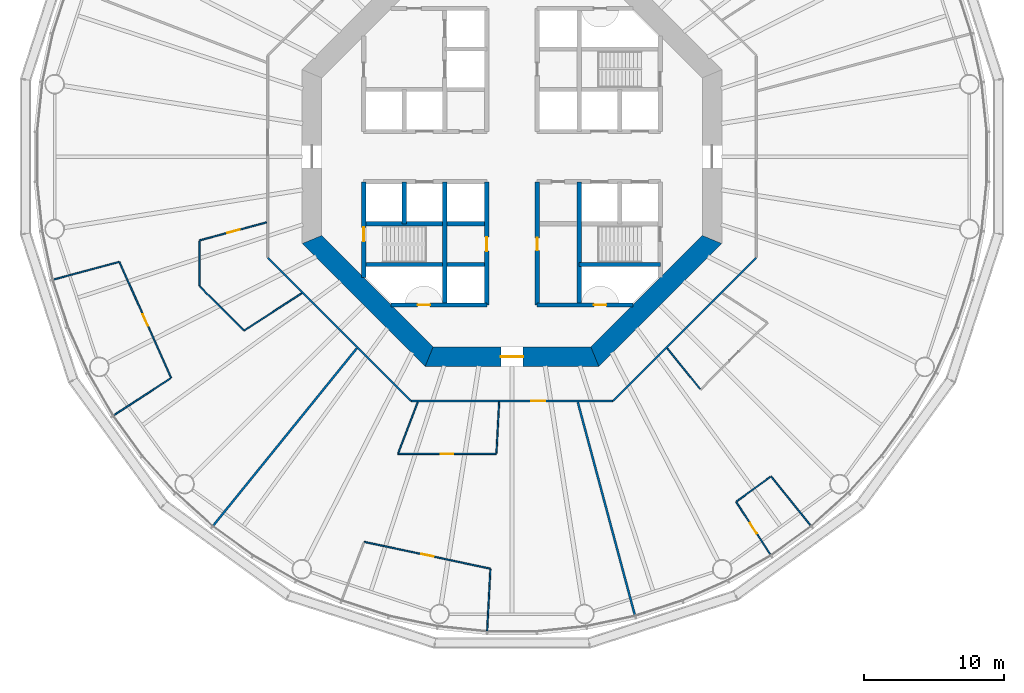
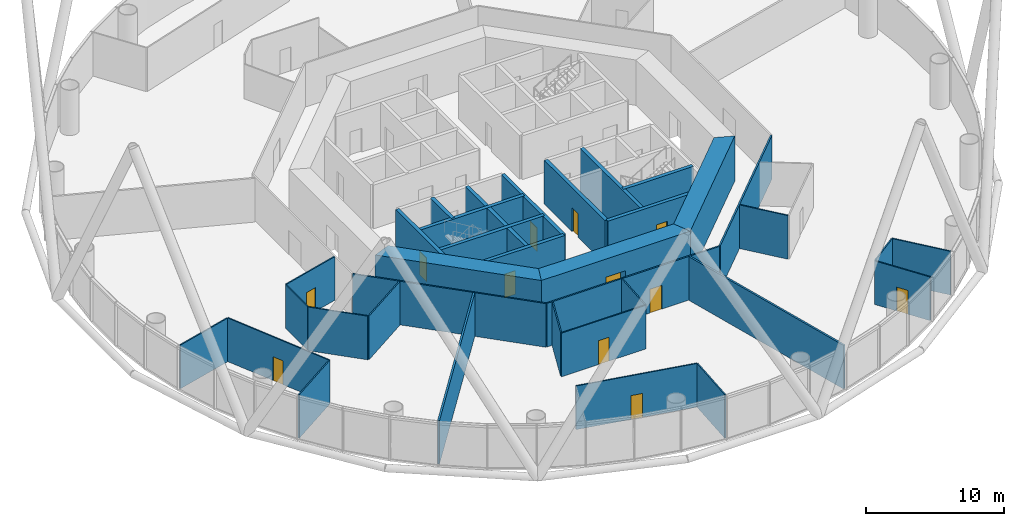
# One storey, part 3 of 13: 35 walls, 12 doors, 12 openings.
"""IFC4 building model written with IfcOpenShell, lengths in metres."""

import ifcopenshell
import ifcopenshell.guid

model = None  # the IFC model being written
_history = None  # IfcOwnerHistory: only IFC2X3 demands one
_inside = {}  # id of a spatial element -> (the spatial element, [elements in it])
_under = {}  # id of a project, library or spatial element -> (it, [spatial elements below it])
_declared = {}  # id of a project -> (the project, [libraries it declares])
_typed = {}  # id of a type object -> (the type object, [elements of that type])
_made_of = {}  # id of a material, layer set ... -> (it, [elements and type objects made of it])


def new_model(schema):
    """Start an empty IFC model of exactly this schema.

    Asked for "IFC4X3", IfcOpenShell would pick the latest addendum, in which some entities
    have other attributes; the version numbers below select the first issue.
    IFC2X3 requires an IfcOwnerHistory on every rooted entity: one is made here for all.
    """
    global model, _history
    if schema == "IFC4X3":
        model = ifcopenshell.file(schema_version=(4, 3, 0, 0))
    else:
        model = ifcopenshell.file(schema=schema)
    _inside.clear()
    _under.clear()
    _declared.clear()
    _typed.clear()
    _made_of.clear()
    _history = None
    if model.schema == "IFC2X3":
        org = make("IfcOrganization", Name="unknown")
        user = make(
            "IfcPersonAndOrganization",
            ThePerson=make("IfcPerson", FamilyName="unknown"),
            TheOrganization=org,
        )
        app = make(
            "IfcApplication",
            ApplicationDeveloper=org,
            Version="unknown",
            ApplicationFullName="unknown",
            ApplicationIdentifier="unknown",
        )
        _history = make(
            "IfcOwnerHistory",
            OwningUser=user,
            OwningApplication=app,
            ChangeAction="ADDED",
            CreationDate=0,
        )
    return model


def make(cls, **values):
    """One entity of the class cls with the attributes given. An attribute that is None is left unset."""
    return model.create_entity(
        cls, **{name: value for name, value in values.items() if value is not None}
    )


def rooted(cls, **values):
    """An entity with a GlobalId (a new one), such as an element, a storey or a relation."""
    return make(cls, GlobalId=ifcopenshell.guid.new(), OwnerHistory=_history, **values)


def si_unit(unit_type, name, prefix=None):
    """IfcSIUnit, for example si_unit("LENGTHUNIT", "METRE", prefix="MILLI")."""
    return make("IfcSIUnit", UnitType=unit_type, Prefix=prefix, Name=name)


def assignment(units):
    """IfcUnitAssignment: the units of a project."""
    return None if units is None else make("IfcUnitAssignment", Units=units)


def point(xyz):
    """IfcCartesianPoint."""
    return None if xyz is None else make("IfcCartesianPoint", Coordinates=xyz)


def direction(xyz):
    """IfcDirection."""
    return None if xyz is None else make("IfcDirection", DirectionRatios=xyz)


def frame(location, z_axis=None, x_axis=None):
    """IfcAxis2Placement3D, a coordinate frame: its origin and axes. An axis left out is left unset."""
    return make(
        "IfcAxis2Placement3D",
        Location=point(location),
        Axis=direction(z_axis),
        RefDirection=direction(x_axis),
    )


def frame_2d(location, x_axis=None):
    """IfcAxis2Placement2D, a coordinate frame in the plane: its origin and x axis."""
    return make(
        "IfcAxis2Placement2D", Location=point(location), RefDirection=direction(x_axis)
    )


def origin():
    """The frame at (0, 0, 0) with its axes left unset."""
    return frame((0.0, 0.0, 0.0))


def place(relative_to, where):
    """IfcLocalPlacement: puts the frame where relative to a parent placement (None: the world)."""
    return make(
        "IfcLocalPlacement", PlacementRelTo=relative_to, RelativePlacement=where
    )


def context(
    kind, dimensions, precision=None, world=None, true_north=None, identifier=None
):
    """IfcGeometricRepresentationContext, for example the 3D "Model" context."""
    return make(
        "IfcGeometricRepresentationContext",
        ContextIdentifier=identifier,
        ContextType=kind,
        CoordinateSpaceDimension=dimensions,
        Precision=precision,
        WorldCoordinateSystem=world,
        TrueNorth=true_north,
    )


def subcontext(parent, identifier, kind, view, scale=None):
    """IfcGeometricRepresentationSubContext, for example "Body" below "Model"."""
    return make(
        "IfcGeometricRepresentationSubContext",
        ContextIdentifier=identifier,
        ContextType=kind,
        ParentContext=parent,
        TargetScale=scale,
        TargetView=view,
    )


def project(units=None, contexts=None):
    """IfcProject with its units and contexts."""
    return rooted(
        "IfcProject",
        Name="project",
        RepresentationContexts=contexts,
        UnitsInContext=assignment(units),
    )


def spatial(cls, under=None, at=None, **own):
    """A site, building, storey or space (cls), placed at a placement, below another one or the project."""
    s = rooted(cls, ObjectPlacement=at, **own)
    if under is not None:
        _under.setdefault(under.id(), (under, []))[1].append(s)
    return s


def polyline(points):
    """IfcPolyline through the points."""
    return make("IfcPolyline", Points=[point(p) for p in points])


def profile(cls, at=None, kind="AREA", **sizes):
    """A parametric profile (cls). Its sizes go by their IFC names, for example OverallWidth=200.0."""
    return make(cls, ProfileType=kind, Position=at, **sizes)


def rectangle(**sizes):
    """IfcRectangleProfileDef."""
    return profile("IfcRectangleProfileDef", **sizes)


def outline(outer, holes=None, kind="AREA"):
    """IfcArbitraryClosedProfileDef: a profile drawn as a closed curve; with holes, ...WithVoids."""
    if holes is None:
        return make("IfcArbitraryClosedProfileDef", ProfileType=kind, OuterCurve=outer)
    return make(
        "IfcArbitraryProfileDefWithVoids",
        ProfileType=kind,
        OuterCurve=outer,
        InnerCurves=holes,
    )


def extrude(swept, where, along, depth):
    """IfcExtrudedAreaSolid: the profile swept, set in the frame where, extruded along a direction by depth."""
    return make(
        "IfcExtrudedAreaSolid",
        SweptArea=swept,
        Position=where,
        ExtrudedDirection=direction(along),
        Depth=depth,
    )


def shape(context_of_items, identifier, shape_type, items):
    """IfcShapeRepresentation: the items that make up one representation, for example the "Body"."""
    return make(
        "IfcShapeRepresentation",
        ContextOfItems=context_of_items,
        RepresentationIdentifier=identifier,
        RepresentationType=shape_type,
        Items=items,
    )


def material(Name=None, Category=None):
    """IfcMaterial."""
    return make("IfcMaterial", Name=Name, Category=Category)


def layer(
    of_material, thickness, ventilated=None, Name=None, Category=None, Priority=None
):
    """IfcMaterialLayer: one layer of a wall or slab, of a material (None: an air gap)."""
    return make(
        "IfcMaterialLayer",
        Material=of_material,
        LayerThickness=thickness,
        IsVentilated=ventilated,
        Name=Name,
        Category=Category,
        Priority=Priority,
    )


def layer_set(layers, Name=None):
    """IfcMaterialLayerSet."""
    return make("IfcMaterialLayerSet", MaterialLayers=layers, LayerSetName=Name)


def made_of(thing, what):
    """Note that an element or type object is made of a material, layer set ...; save() writes the relation."""
    if what is not None:
        _made_of.setdefault(what.id(), (what, []))[1].append(thing)
    return thing


def type_object(cls, material=None, **own):
    """A type object (cls), such as IfcWallType, which elements share."""
    return made_of(rooted(cls, **own), material)


def element(
    cls,
    number,
    at=None,
    inside=None,
    cuts=None,
    type_object=None,
    material=None,
    context=None,
    identifier="Body",
    shape_type=None,
    held_by="IfcProductDefinitionShape",
    body=None,
    shapes=None,
    **own,
):
    """One element of the class cls, such as IfcWall. Its Tag is "e" and its number.

    at: its placement. inside: the storey or other place that contains it. cuts: it is an
    opening in that element (IfcRelVoidsElement). A single representation is given by context,
    identifier, shape_type and body (its items); several are given by shapes. held_by: the class
    of the entity that holds the representations. save() writes the other relations.
    """
    e = rooted(cls, Tag="e%d" % number, ObjectPlacement=at, **own)
    if body is not None:
        shapes = [shape(context, identifier, shape_type, body)]
    if shapes is not None:
        e.Representation = make(held_by, Representations=shapes)
    if inside is not None:
        _inside.setdefault(inside.id(), (inside, []))[1].append(e)
    if cuts is not None:
        rooted(
            "IfcRelVoidsElement", RelatingBuildingElement=cuts, RelatedOpeningElement=e
        )
    if type_object is not None:
        _typed.setdefault(type_object.id(), (type_object, []))[1].append(e)
    return made_of(e, material)


def fill(opening, filler):
    """IfcRelFillsElement: the door or window that sits in an opening."""
    return rooted(
        "IfcRelFillsElement",
        RelatingOpeningElement=opening,
        RelatedBuildingElement=filler,
    )


def aggregate(whole, parts):
    """IfcRelAggregates: a whole, such as a stair, and the parts it consists of."""
    return rooted("IfcRelAggregates", RelatingObject=whole, RelatedObjects=parts)


def save(model, path):
    """Write the relations noted so far, then the file.

    IfcRelAggregates (storeys below a building ...), IfcRelContainedInSpatialStructure (elements
    in a storey), IfcRelDefinesByType, IfcRelAssociatesMaterial and IfcRelDeclares: one each for
    every whole, place, type object, material and project.
    """
    for whole, parts in _under.values():
        aggregate(whole, parts)
    for where, things in _inside.values():
        rooted(
            "IfcRelContainedInSpatialStructure",
            RelatedElements=things,
            RelatingStructure=where,
        )
    for kind, things in _typed.values():
        rooted("IfcRelDefinesByType", RelatedObjects=things, RelatingType=kind)
    for what, things in _made_of.values():
        rooted("IfcRelAssociatesMaterial", RelatedObjects=things, RelatingMaterial=what)
    for by, libraries in _declared.values():
        rooted("IfcRelDeclares", RelatingContext=by, RelatedDefinitions=libraries)
    model.write(path)


model = new_model("IFC4")

# Units and contexts
model_context = context("Model", 3, precision=1e-05, world=origin(), true_north=direction((0.0, 1.0)))
body_context = subcontext(model_context, "Body", "Model", "MODEL_VIEW")
ifc_project = project(units=[si_unit("LENGTHUNIT", "METRE"), si_unit("AREAUNIT", "SQUARE_METRE"), si_unit("VOLUMEUNIT", "CUBIC_METRE"), si_unit("PLANEANGLEUNIT", "RADIAN"), si_unit("MASSUNIT", "GRAM", prefix="KILO")], contexts=[model_context])

# Site, building, storey
site_placement = place(None, origin())
site = spatial("IfcSite", under=ifc_project, at=site_placement, CompositionType="ELEMENT")
building_placement = place(site_placement, origin())
building = spatial("IfcBuilding", under=site, at=building_placement, Name="Entoto Ring Tower", CompositionType="ELEMENT")
storey_placement = place(building_placement, frame((0.0, 0.0, 18.0)))
storey = spatial("IfcBuildingStorey", under=building, at=storey_placement, Name="L02", CompositionType="ELEMENT", Elevation=18.0)

# Wall
ifc_material_1 = material(Name="Concrete C40/50", Category="concrete")
ifc_layer_1 = layer(ifc_material_1, 0.300048828125)
ifc_layer_set_1 = layer_set([ifc_layer_1], Name="Concrete C40/50")
wall_type_1 = type_object("IfcWallType", Name="Core enclosure wall 300 mm reinforced concrete", PredefinedType="SOLIDWALL", material=ifc_layer_set_1)
wall_1_placement = place(storey_placement, frame((94.800048828125, 69.39990234375, 0.0), z_axis=(0.0, 0.0, 1.0), x_axis=(0.0, 1.0, 0.0)))
element("IfcWall", 1, at=wall_1_placement, inside=storey, type_object=wall_type_1, Name="wall-L02-005", PredefinedType="SOLIDWALL", context=body_context, shape_type="SweptSolid", body=[
    extrude(rectangle(XDim=8.800048828125, YDim=0.300048828125, at=frame_2d((4.39990234375, 0.0))), origin(), (0.0, 0.0, 1.0), 3.85009765625),
])

# Wall, opening, door
wall_2_placement = place(storey_placement, frame((91.800048828125, 69.39990234375, 0.0), z_axis=(0.0, 0.0, 1.0), x_axis=(0.0, 1.0, 0.0)))
wall_2 = element("IfcWall", 2, at=wall_2_placement, inside=storey, type_object=wall_type_1, Name="wall-L02-007", PredefinedType="SOLIDWALL", context=body_context, shape_type="SweptSolid", body=[
    extrude(rectangle(XDim=8.800048828125, YDim=0.300048828125, at=frame_2d((4.39990234375, 0.0))), origin(), (0.0, 0.0, 1.0), 3.85009765625),
])
opening_1_placement = place(wall_2_placement, frame((3.89990234375, 0.0, 0.0)))
opening_1 = element("IfcOpeningElement", 3, at=opening_1_placement, cuts=wall_2, Name="Opening K-12", PredefinedType="OPENING", context=body_context, shape_type="SweptSolid", body=[
    extrude(rectangle(XDim=0.89990234375, YDim=2.10009765625, at=frame_2d((0.449951171875, 1.050048828125))), frame((0.0, 0.16015625, 0.0), z_axis=(0.0, -1.0, 0.0), x_axis=(1.0, 0.0, 0.0)), (0.0, 0.0, 1.0), 0.320068359375),
])
ifc_material_2 = material(Name="Steel door leaf, fire rated", Category="steel")
ifc_layer_2 = layer(ifc_material_2, 0.050048828125)
ifc_layer_set_2 = layer_set([ifc_layer_2], Name="Steel door leaf, fire rated")
door_type_1 = type_object("IfcDoorType", Name="Core door 900 x 2100 single leaf", OperationType="NOTDEFINED", PredefinedType="DOOR", material=ifc_layer_set_2)
door_1_placement = place(opening_1_placement, frame((0.89990234375, 0.0, 0.0), z_axis=(0.0, 0.0, 1.0), x_axis=(-1.0, 0.0, 0.0)))
door_1 = element("IfcDoor", 4, at=door_1_placement, inside=storey, type_object=door_type_1, Name="Door K-12", OperationType="SINGLE_SWING_LEFT", OverallHeight=2.10009765625, OverallWidth=0.89990234375, PredefinedType="DOOR", context=body_context, shape_type="SweptSolid", body=[
    extrude(rectangle(XDim=0.89990234375, YDim=2.10009765625, at=frame_2d((0.449951171875, 1.050048828125))), frame((0.0, 0.02490234375, 0.0), z_axis=(0.0, -1.0, 0.0), x_axis=(1.0, 0.0, 0.0)), (0.0, 0.0, 1.0), 0.050048828125),
])
fill(opening_1, door_1)

wall_3_placement = place(storey_placement, frame((88.199951171875, 69.39990234375, 0.0), z_axis=(0.0, 0.0, 1.0), x_axis=(0.0, 1.0, 0.0)))
wall_3 = element("IfcWall", 5, at=wall_3_placement, inside=storey, type_object=wall_type_1, Name="wall-L02-009", PredefinedType="SOLIDWALL", context=body_context, shape_type="SweptSolid", body=[
    extrude(rectangle(XDim=8.800048828125, YDim=0.300048828125, at=frame_2d((4.39990234375, 0.0))), origin(), (0.0, 0.0, 1.0), 3.85009765625),
])
opening_2_placement = place(wall_3_placement, frame((3.85009765625, 0.0, 0.0)))
opening_2 = element("IfcOpeningElement", 6, at=opening_2_placement, cuts=wall_3, Name="Opening K-13", PredefinedType="OPENING", context=body_context, shape_type="SweptSolid", body=[
    extrude(rectangle(XDim=1.0, YDim=2.10009765625, at=frame_2d((0.5, 1.050048828125))), frame((0.0, 0.16015625, 0.0), z_axis=(0.0, -1.0, 0.0), x_axis=(1.0, 0.0, 0.0)), (0.0, 0.0, 1.0), 0.320068359375),
])
ifc_material_3 = material(Name="Steel door leaf, fire rated", Category="steel")
ifc_layer_3 = layer(ifc_material_3, 0.050048828125)
ifc_layer_set_3 = layer_set([ifc_layer_3], Name="Steel door leaf, fire rated")
door_type_2 = type_object("IfcDoorType", Name="Accessible door 1000 x 2100 single leaf", OperationType="NOTDEFINED", PredefinedType="DOOR", material=ifc_layer_set_3)
door_2_placement = place(opening_2_placement, origin())
door_2 = element("IfcDoor", 7, at=door_2_placement, inside=storey, type_object=door_type_2, Name="Door K-13", OperationType="SINGLE_SWING_LEFT", OverallHeight=2.10009765625, OverallWidth=1.0, PredefinedType="DOOR", context=body_context, shape_type="SweptSolid", body=[
    extrude(rectangle(XDim=1.0, YDim=2.10009765625, at=frame_2d((0.5, 1.050048828125))), frame((0.0, 0.02490234375, 0.0), z_axis=(0.0, -1.0, 0.0), x_axis=(1.0, 0.0, 0.0)), (0.0, 0.0, 1.0), 0.050048828125),
])
fill(opening_2, door_2)

# Walls
wall_4_placement = place(storey_placement, frame((85.199951171875, 69.39990234375, 0.0), z_axis=(0.0, 0.0, 1.0), x_axis=(0.0, 1.0, 0.0)))
element("IfcWall", 8, at=wall_4_placement, inside=storey, type_object=wall_type_1, Name="wall-L02-011", PredefinedType="SOLIDWALL", context=body_context, shape_type="SweptSolid", body=[
    extrude(rectangle(XDim=8.800048828125, YDim=0.300048828125, at=frame_2d((4.39990234375, 0.0))), origin(), (0.0, 0.0, 1.0), 3.85009765625),
])
wall_5_placement = place(storey_placement, frame((82.300048828125, 75.199951171875, 0.0), z_axis=(0.0, 0.0, 1.0), x_axis=(0.0, 1.0, 0.0)))
element("IfcWall", 9, at=wall_5_placement, inside=storey, type_object=wall_type_1, Name="wall-L02-013", PredefinedType="SOLIDWALL", context=body_context, shape_type="SweptSolid", body=[
    extrude(rectangle(XDim=3.0, YDim=0.300048828125, at=frame_2d((1.5, 0.0))), origin(), (0.0, 0.0, 1.0), 3.85009765625),
])

# Wall, opening, door
wall_6_placement = place(storey_placement, frame((79.39990234375, 71.36669921875, 0.0), z_axis=(0.0, 0.0, 1.0), x_axis=(0.0, 1.0, 0.0)))
wall_6 = element("IfcWall", 10, at=wall_6_placement, inside=storey, type_object=wall_type_1, Name="wall-L02-015", PredefinedType="SOLIDWALL", context=body_context, shape_type="SweptSolid", body=[
    extrude(rectangle(XDim=6.833251953125, YDim=0.300048828125, at=frame_2d((3.41650390625, 0.0))), origin(), (0.0, 0.0, 1.0), 3.85009765625),
])
opening_3_placement = place(wall_6_placement, frame((2.583251953125, 0.0, 0.0)))
opening_3 = element("IfcOpeningElement", 11, at=opening_3_placement, cuts=wall_6, Name="Opening K-17", PredefinedType="OPENING", context=body_context, shape_type="SweptSolid", body=[
    extrude(rectangle(XDim=1.0, YDim=2.10009765625, at=frame_2d((0.5, 1.050048828125))), frame((0.0, 0.16015625, 0.0), z_axis=(0.0, -1.0, 0.0), x_axis=(1.0, 0.0, 0.0)), (0.0, 0.0, 1.0), 0.320068359375),
])
ifc_material_4 = material(Name="Steel door leaf, fire rated", Category="steel")
ifc_layer_4 = layer(ifc_material_4, 0.050048828125)
ifc_layer_set_4 = layer_set([ifc_layer_4], Name="Steel door leaf, fire rated")
door_type_3 = type_object("IfcDoorType", Name="Fire door FD60 1000 x 2100 single leaf", OperationType="NOTDEFINED", PredefinedType="DOOR", material=ifc_layer_set_4)
door_3_placement = place(opening_3_placement, frame((1.0, 0.0, 0.0), z_axis=(0.0, 0.0, 1.0), x_axis=(-1.0, 0.0, 0.0)))
door_3 = element("IfcDoor", 12, at=door_3_placement, inside=storey, type_object=door_type_3, Name="Door K-17", OperationType="SINGLE_SWING_LEFT", OverallHeight=2.10009765625, OverallWidth=1.0, PredefinedType="DOOR", context=body_context, shape_type="SweptSolid", body=[
    extrude(rectangle(XDim=1.0, YDim=2.10009765625, at=frame_2d((0.5, 1.050048828125))), frame((0.0, 0.02490234375, 0.0), z_axis=(0.0, -1.0, 0.0), x_axis=(1.0, 0.0, 0.0)), (0.0, 0.0, 1.0), 0.050048828125),
])
fill(opening_3, door_3)

wall_7_placement = place(storey_placement, frame((81.36669921875, 69.39990234375, 0.0), z_axis=(0.0, 0.0, 1.0), x_axis=(1.0, 0.0, 0.0)))
wall_7 = element("IfcWall", 13, at=wall_7_placement, inside=storey, type_object=wall_type_1, Name="wall-L02-017", PredefinedType="SOLIDWALL", context=body_context, shape_type="SweptSolid", body=[
    extrude(rectangle(XDim=6.833251953125, YDim=0.300048828125, at=frame_2d((3.41650390625, 0.0))), origin(), (0.0, 0.0, 1.0), 3.85009765625),
])
opening_4_placement = place(wall_7_placement, frame((1.88330078125, 0.0, 0.0)))
opening_4 = element("IfcOpeningElement", 14, at=opening_4_placement, cuts=wall_7, Name="Opening K-20", PredefinedType="OPENING", context=body_context, shape_type="SweptSolid", body=[
    extrude(rectangle(XDim=0.89990234375, YDim=2.10009765625, at=frame_2d((0.449951171875, 1.050048828125))), frame((0.0, 0.16015625, 0.0), z_axis=(0.0, -1.0, 0.0), x_axis=(1.0, 0.0, 0.0)), (0.0, 0.0, 1.0), 0.320068359375),
])
ifc_material_5 = material(Name="Steel door leaf, fire rated", Category="steel")
ifc_layer_5 = layer(ifc_material_5, 0.050048828125)
ifc_layer_set_5 = layer_set([ifc_layer_5], Name="Steel door leaf, fire rated")
door_type_4 = type_object("IfcDoorType", Name="Riser door FD60 900 x 2100 single leaf", OperationType="NOTDEFINED", PredefinedType="DOOR", material=ifc_layer_set_5)
door_4_placement = place(opening_4_placement, origin())
door_4 = element("IfcDoor", 15, at=door_4_placement, inside=storey, type_object=door_type_4, Name="Door K-20", OperationType="SINGLE_SWING_RIGHT", OverallHeight=2.10009765625, OverallWidth=0.89990234375, PredefinedType="DOOR", context=body_context, shape_type="SweptSolid", body=[
    extrude(rectangle(XDim=0.89990234375, YDim=2.10009765625, at=frame_2d((0.449951171875, 1.050048828125))), frame((0.0, 0.02490234375, 0.0), z_axis=(0.0, -1.0, 0.0), x_axis=(1.0, 0.0, 0.0)), (0.0, 0.0, 1.0), 0.050048828125),
])
fill(opening_4, door_4)

wall_8_placement = place(storey_placement, frame((91.800048828125, 69.39990234375, 0.0), z_axis=(0.0, 0.0, 1.0), x_axis=(1.0, 0.0, 0.0)))
wall_8 = element("IfcWall", 16, at=wall_8_placement, inside=storey, type_object=wall_type_1, Name="wall-L02-018", PredefinedType="SOLIDWALL", context=body_context, shape_type="SweptSolid", body=[
    extrude(rectangle(XDim=6.833251953125, YDim=0.300048828125, at=frame_2d((3.41650390625, 0.0))), origin(), (0.0, 0.0, 1.0), 3.85009765625),
])
opening_5_placement = place(wall_8_placement, frame((4.050048828125, 0.0, 0.0)))
opening_5 = element("IfcOpeningElement", 17, at=opening_5_placement, cuts=wall_8, Name="Opening K-66", PredefinedType="OPENING", context=body_context, shape_type="SweptSolid", body=[
    extrude(rectangle(XDim=0.89990234375, YDim=2.10009765625, at=frame_2d((0.449951171875, 1.050048828125))), frame((0.0, 0.16015625, 0.0), z_axis=(0.0, -1.0, 0.0), x_axis=(1.0, 0.0, 0.0)), (0.0, 0.0, 1.0), 0.320068359375),
])
door_5_placement = place(opening_5_placement, origin())
door_5 = element("IfcDoor", 18, at=door_5_placement, inside=storey, type_object=door_type_4, Name="Door K-66", OperationType="SINGLE_SWING_LEFT", OverallHeight=2.10009765625, OverallWidth=0.89990234375, PredefinedType="DOOR", context=body_context, shape_type="SweptSolid", body=[
    extrude(rectangle(XDim=0.89990234375, YDim=2.10009765625, at=frame_2d((0.449951171875, 1.050048828125))), frame((0.0, 0.02490234375, 0.0), z_axis=(0.0, -1.0, 0.0), x_axis=(1.0, 0.0, 0.0)), (0.0, 0.0, 1.0), 0.050048828125),
])
fill(opening_5, door_5)

# Walls
wall_9_placement = place(storey_placement, frame((79.39990234375, 72.300048828125, 0.0), z_axis=(0.0, 0.0, 1.0), x_axis=(1.0, 0.0, 0.0)))
element("IfcWall", 19, at=wall_9_placement, inside=storey, type_object=wall_type_1, Name="wall-L02-019", PredefinedType="SOLIDWALL", context=body_context, shape_type="SweptSolid", body=[
    extrude(rectangle(XDim=8.800048828125, YDim=0.300048828125, at=frame_2d((4.39990234375, 0.0))), origin(), (0.0, 0.0, 1.0), 3.85009765625),
])
wall_10_placement = place(storey_placement, frame((94.800048828125, 72.300048828125, 0.0), z_axis=(0.0, 0.0, 1.0), x_axis=(1.0, 0.0, 0.0)))
element("IfcWall", 20, at=wall_10_placement, inside=storey, type_object=wall_type_1, Name="wall-L02-020", PredefinedType="SOLIDWALL", context=body_context, shape_type="SweptSolid", body=[
    extrude(rectangle(XDim=5.800048828125, YDim=0.300048828125, at=frame_2d((2.89990234375, 0.0))), origin(), (0.0, 0.0, 1.0), 3.85009765625),
])
wall_11_placement = place(storey_placement, frame((79.39990234375, 75.199951171875, 0.0), z_axis=(0.0, 0.0, 1.0), x_axis=(1.0, 0.0, 0.0)))
element("IfcWall", 21, at=wall_11_placement, inside=storey, type_object=wall_type_1, Name="wall-L02-021", PredefinedType="SOLIDWALL", context=body_context, shape_type="SweptSolid", body=[
    extrude(rectangle(XDim=8.800048828125, YDim=0.300048828125, at=frame_2d((4.39990234375, 0.0))), origin(), (0.0, 0.0, 1.0), 3.85009765625),
])
ifc_material_6 = material(Name="Concrete C60/75", Category="concrete")
ifc_layer_6 = layer(ifc_material_6, 1.39990234375)
ifc_layer_set_6 = layer_set([ifc_layer_6], Name="Concrete C60/75")
wall_type_2 = type_object("IfcWallType", Name="Core shear wall 1400 mm reinforced concrete C60/75", PredefinedType="SHEAR", material=ifc_layer_set_6)
wall_12_placement = place(storey_placement, frame((75.699951171875, 74.07666015625, 0.0), z_axis=(0.0, 0.0, 1.0), x_axis=(0.707106781187, -0.707106781187, 0.0)))
element("IfcWall", 22, at=wall_12_placement, inside=storey, type_object=wall_type_2, Name="wall-L02-core-5", PredefinedType="SHEAR", context=body_context, shape_type="SweptSolid", body=[
    extrude(outline(polyline([(-0.2900390625, -0.699951171875), (12.136474609375, -0.699951171875), (11.556396484375, 0.699951171875), (0.2900390625, 0.699951171875), (-0.2900390625, -0.699951171875)])), origin(), (0.0, 0.0, 1.0), 4.0),
])

# Wall, opening, door
wall_13_placement = place(storey_placement, frame((84.07666015625, 65.699951171875, 0.0), z_axis=(0.0, 0.0, 1.0), x_axis=(1.0, 0.0, 0.0)))
wall_13 = element("IfcWall", 23, at=wall_13_placement, inside=storey, type_object=wall_type_2, Name="wall-L02-core-6", PredefinedType="SHEAR", context=body_context, shape_type="SweptSolid", body=[
    extrude(outline(polyline([(-0.2900390625, -0.699951171875), (12.13671875, -0.699951171875), (11.556640625, 0.699951171875), (0.2900390625, 0.699951171875), (-0.2900390625, -0.699951171875)])), origin(), (0.0, 0.0, 1.0), 4.0),
])
opening_6_placement = place(wall_13_placement, frame((5.123291015625, 0.0, 0.0)))
opening_6 = element("IfcOpeningElement", 24, at=opening_6_placement, cuts=wall_13, Name="Opening K-04", PredefinedType="OPENING", context=body_context, shape_type="SweptSolid", body=[
    extrude(rectangle(XDim=1.60009765625, YDim=2.39990234375, at=frame_2d((0.800048828125, 1.199951171875))), frame((0.0, 0.7099609375, 0.0), z_axis=(0.0, -1.0, 0.0), x_axis=(1.0, 0.0, 0.0)), (0.0, 0.0, 1.0), 1.419921875),
])
ifc_material_7 = material(Name="Steel door leaf, fire rated", Category="steel")
ifc_layer_7 = layer(ifc_material_7, 0.050048828125)
ifc_layer_set_7 = layer_set([ifc_layer_7], Name="Steel door leaf, fire rated")
door_type_5 = type_object("IfcDoorType", Name="Entrance door FD60 1600 x 2400 double leaf", OperationType="DOUBLE_DOOR_SINGLE_SWING", PredefinedType="DOOR", material=ifc_layer_set_7)
door_6_placement = place(opening_6_placement, origin())
door_6 = element("IfcDoor", 25, at=door_6_placement, inside=storey, type_object=door_type_5, Name="Entrance door K-04", OperationType="DOUBLE_DOOR_SINGLE_SWING", OverallHeight=2.39990234375, OverallWidth=1.60009765625, PredefinedType="DOOR", context=body_context, shape_type="SweptSolid", body=[
    extrude(rectangle(XDim=1.60009765625, YDim=2.39990234375, at=frame_2d((0.800048828125, 1.199951171875))), frame((0.0, 0.02490234375, 0.0), z_axis=(0.0, -1.0, 0.0), x_axis=(1.0, 0.0, 0.0)), (0.0, 0.0, 1.0), 0.050048828125),
])
fill(opening_6, door_6)

# Walls
wall_14_placement = place(storey_placement, frame((95.92333984375, 65.699951171875, 0.0), z_axis=(0.0, 0.0, 1.0), x_axis=(0.707106781187, 0.707106781187, 0.0)))
element("IfcWall", 26, at=wall_14_placement, inside=storey, type_object=wall_type_2, Name="wall-L02-core-7", PredefinedType="SHEAR", context=body_context, shape_type="SweptSolid", body=[
    extrude(outline(polyline([(-0.2900390625, -0.699951171875), (12.136474609375, -0.699951171875), (11.556396484375, 0.699951171875), (0.2900390625, 0.699951171875), (-0.2900390625, -0.699951171875)])), origin(), (0.0, 0.0, 1.0), 4.0),
])
ifc_material_8 = material(Name="Fire-resisting plasterboard on steel studs", Category="steel")
ifc_layer_8 = layer(ifc_material_8, 0.125)
ifc_layer_set_8 = layer_set([ifc_layer_8], Name="Fire-resisting plasterboard on steel studs")
wall_type_3 = type_object("IfcWallType", Name="Corridor wall 125 mm one-hour plasterboard on steel studs", PredefinedType="PARTITIONING", material=ifc_layer_set_8)
for number, where, z_axis, x_axis, name in (
    (27, (82.766845703125, 62.53759765625, 0.0), (0.0, 0.0, 1.0), (-0.707106781187, 0.707106781187, 0.0), "partition-L02-002"),
    (28, (97.233154296875, 62.53759765625, 0.0), (0.0, 0.0, 1.0), (0.707106781187, 0.707106781187, 0.0), "partition-L02-003"),
):
    element("IfcWall", number, at=place(storey_placement, frame(where, z_axis=z_axis, x_axis=x_axis)), inside=storey, type_object=wall_type_3, Name=name, PredefinedType="PARTITIONING", context=body_context, shape_type="SweptSolid", body=[
        extrude(rectangle(XDim=14.46630859375, YDim=0.125, at=frame_2d((7.233154296875, 0.0))), origin(), (0.0, 0.0, 1.0), 3.85009765625),
    ])

# Wall, opening, door
wall_15_placement = place(storey_placement, frame((82.810791015625, 62.53759765625, 0.0), z_axis=(0.0, 0.0, 1.0), x_axis=(1.0, 0.0, 0.0)))
wall_15 = element("IfcWall", 29, at=wall_15_placement, inside=storey, type_object=wall_type_3, Name="partition-L02-006", PredefinedType="PARTITIONING", context=body_context, shape_type="SweptSolid", body=[
    extrude(rectangle(XDim=14.37841796875, YDim=0.125, at=frame_2d((7.189208984375, 0.0))), origin(), (0.0, 0.0, 1.0), 3.85009765625),
])
opening_7_placement = place(wall_15_placement, frame((8.5712890625, 0.0, 0.0)))
opening_7 = element("IfcOpeningElement", 30, at=opening_7_placement, cuts=wall_15, Name="Opening A02-D08", PredefinedType="OPENING", context=body_context, shape_type="SweptSolid", body=[
    extrude(rectangle(XDim=1.0, YDim=2.10009765625, at=frame_2d((0.5, 1.050048828125))), frame((0.0, 0.072509765625, 0.0), z_axis=(0.0, -1.0, 0.0), x_axis=(1.0, 0.0, 0.0)), (0.0, 0.0, 1.0), 0.14501953125),
])
ifc_material_9 = material(Name="Fire-resisting timber door set", Category="wood")
door_type_6 = type_object("IfcDoorType", Name="Door 1000 x 2100 single leaf FD30S fire door", OperationType="NOTDEFINED", PredefinedType="DOOR", material=ifc_material_9)
door_7_placement = place(opening_7_placement, frame((1.0, 0.0, 0.0), z_axis=(0.0, 0.0, 1.0), x_axis=(-1.0, 0.0, 0.0)))
door_7 = element("IfcDoor", 31, at=door_7_placement, inside=storey, type_object=door_type_6, Name="Door A02-D08", OperationType="SINGLE_SWING_RIGHT", OverallHeight=2.10009765625, OverallWidth=1.0, PredefinedType="DOOR", context=body_context, shape_type="SweptSolid", body=[
    extrude(rectangle(XDim=1.0, YDim=2.10009765625, at=frame_2d((0.5, 1.050048828125))), frame((0.0, 0.02490234375, 0.0), z_axis=(0.0, -1.0, 0.0), x_axis=(1.0, 0.0, 0.0)), (0.0, 0.0, 1.0), 0.050048828125),
])
fill(opening_7, door_7)

ifc_material_10 = material(Name="Plasterboard on steel studs", Category="steel")
ifc_layer_9 = layer(ifc_material_10, 0.10009765625)
ifc_layer_set_9 = layer_set([ifc_layer_9], Name="Plasterboard on steel studs")
wall_type_4 = type_object("IfcWallType", Name="Partition 100 mm plasterboard on steel studs", PredefinedType="PARTITIONING", material=ifc_layer_set_9)
wall_16_placement = place(storey_placement, frame((88.45654296875, 50.55029296875, 0.0), z_axis=(0.0, 0.0, 1.0), x_axis=(-0.978144188125, 0.207927745233, 0.0)))
wall_16 = element("IfcWall", 32, at=wall_16_placement, inside=storey, type_object=wall_type_4, Name="partition-L02-015", PredefinedType="PARTITIONING", context=body_context, shape_type="SweptSolid", body=[
    extrude(rectangle(XDim=9.2265625, YDim=0.10009765625, at=frame_2d((4.61328125, 0.0))), origin(), (0.0, 0.0, 1.0), 3.85009765625),
])
opening_8_placement = place(wall_16_placement, frame((4.163330078125, 0.0, 0.0)))
opening_8 = element("IfcOpeningElement", 33, at=opening_8_placement, cuts=wall_16, Name="Opening A02-D10", PredefinedType="OPENING", context=body_context, shape_type="SweptSolid", body=[
    extrude(rectangle(XDim=0.89990234375, YDim=2.10009765625, at=frame_2d((0.449951171875, 1.050048828125))), frame((0.0, 0.06005859375, 0.0), z_axis=(0.0, -1.0, 0.0), x_axis=(1.0, 0.0, 0.0)), (0.0, 0.0, 1.0), 0.1201171875),
])
ifc_material_11 = material(Name="Veneered timber door leaf in timber frame", Category="wood")
door_type_7 = type_object("IfcDoorType", Name="Door 900 x 2100 single leaf timber veneer", OperationType="NOTDEFINED", PredefinedType="DOOR", material=ifc_material_11)
door_8_placement = place(opening_8_placement, origin())
door_8 = element("IfcDoor", 34, at=door_8_placement, inside=storey, type_object=door_type_7, Name="Door A02-D10", OperationType="SINGLE_SWING_RIGHT", OverallHeight=2.10009765625, OverallWidth=0.89990234375, PredefinedType="DOOR", context=body_context, shape_type="SweptSolid", body=[
    extrude(rectangle(XDim=0.89990234375, YDim=2.10009765625, at=frame_2d((0.449951171875, 1.050048828125))), frame((0.0, 0.02490234375, 0.0), z_axis=(0.0, -1.0, 0.0), x_axis=(1.0, 0.0, 0.0)), (0.0, 0.0, 1.0), 0.050048828125),
])
fill(opening_8, door_8)

wall_17_placement = place(storey_placement, frame((65.63671875, 64.17822265625, 0.0), z_axis=(0.0, 0.0, 1.0), x_axis=(-0.406741522139, 0.913543285328, 0.0)))
wall_17 = element("IfcWall", 35, at=wall_17_placement, inside=storey, type_object=wall_type_4, Name="partition-L02-016", PredefinedType="PARTITIONING", context=body_context, shape_type="SweptSolid", body=[
    extrude(rectangle(XDim=9.0888671875, YDim=0.10009765625, at=frame_2d((4.54443359375, 0.0))), origin(), (0.0, 0.0, 1.0), 3.85009765625),
])
opening_9_placement = place(wall_17_placement, frame((4.094482421875, 0.0, 0.0)))
opening_9 = element("IfcOpeningElement", 36, at=opening_9_placement, cuts=wall_17, Name="Opening A02-D07", PredefinedType="OPENING", context=body_context, shape_type="SweptSolid", body=[
    extrude(rectangle(XDim=0.89990234375, YDim=2.10009765625, at=frame_2d((0.449951171875, 1.050048828125))), frame((0.0, 0.06005859375, 0.0), z_axis=(0.0, -1.0, 0.0), x_axis=(1.0, 0.0, 0.0)), (0.0, 0.0, 1.0), 0.1201171875),
])
door_9_placement = place(opening_9_placement, origin())
door_9 = element("IfcDoor", 37, at=door_9_placement, inside=storey, type_object=door_type_7, Name="Door A02-D07", OperationType="SINGLE_SWING_LEFT", OverallHeight=2.10009765625, OverallWidth=0.89990234375, PredefinedType="DOOR", context=body_context, shape_type="SweptSolid", body=[
    extrude(rectangle(XDim=0.89990234375, YDim=2.10009765625, at=frame_2d((0.449951171875, 1.050048828125))), frame((0.0, 0.02490234375, 0.0), z_axis=(0.0, -1.0, 0.0), x_axis=(1.0, 0.0, 0.0)), (0.0, 0.0, 1.0), 0.050048828125),
])
fill(opening_9, door_9)

wall_18_placement = place(storey_placement, frame((81.845703125, 58.757568359375, 0.0), z_axis=(0.0, 0.0, 1.0), x_axis=(1.0, 0.0, 0.0)))
wall_18 = element("IfcWall", 38, at=wall_18_placement, inside=storey, type_object=wall_type_4, Name="partition-L02-017", PredefinedType="PARTITIONING", context=body_context, shape_type="SweptSolid", body=[
    extrude(rectangle(XDim=7.041015625, YDim=0.10009765625, at=frame_2d((3.5205078125, 0.0))), origin(), (0.0, 0.0, 1.0), 3.85009765625),
])
opening_10_placement = place(wall_18_placement, frame((3.070556640625, 0.0, 0.0)))
opening_10 = element("IfcOpeningElement", 39, at=opening_10_placement, cuts=wall_18, Name="Opening A02-D09", PredefinedType="OPENING", context=body_context, shape_type="SweptSolid", body=[
    extrude(rectangle(XDim=0.89990234375, YDim=2.10009765625, at=frame_2d((0.449951171875, 1.050048828125))), frame((0.0, 0.06005859375, 0.0), z_axis=(0.0, -1.0, 0.0), x_axis=(1.0, 0.0, 0.0)), (0.0, 0.0, 1.0), 0.1201171875),
])
door_10_placement = place(opening_10_placement, origin())
door_10 = element("IfcDoor", 40, at=door_10_placement, inside=storey, type_object=door_type_7, Name="Door A02-D09", OperationType="SINGLE_SWING_LEFT", OverallHeight=2.10009765625, OverallWidth=0.89990234375, PredefinedType="DOOR", context=body_context, shape_type="SweptSolid", body=[
    extrude(rectangle(XDim=0.89990234375, YDim=2.10009765625, at=frame_2d((0.449951171875, 1.050048828125))), frame((0.0, 0.02490234375, 0.0), z_axis=(0.0, -1.0, 0.0), x_axis=(1.0, 0.0, 0.0)), (0.0, 0.0, 1.0), 0.050048828125),
])
fill(opening_10, door_10)

wall_19_placement = place(storey_placement, frame((67.66748046875, 74.01611328125, 0.0), z_axis=(0.0, 0.0, 1.0), x_axis=(0.965928951755, 0.258807380423, 0.0)))
wall_19 = element("IfcWall", 41, at=wall_19_placement, inside=storey, type_object=wall_type_4, Name="partition-L02-020", PredefinedType="PARTITIONING", context=body_context, shape_type="SweptSolid", body=[
    extrude(rectangle(XDim=4.9638671875, YDim=0.10009765625, at=frame_2d((2.48193359375, 0.0))), origin(), (0.0, 0.0, 1.0), 3.85009765625),
])
opening_11_placement = place(wall_19_placement, frame((2.07080078125, 0.0, 0.0)))
opening_11 = element("IfcOpeningElement", 42, at=opening_11_placement, cuts=wall_19, Name="Opening A02-D06", PredefinedType="OPENING", context=body_context, shape_type="SweptSolid", body=[
    extrude(rectangle(XDim=0.89990234375, YDim=2.10009765625, at=frame_2d((0.449951171875, 1.050048828125))), frame((0.0, 0.06005859375, 0.0), z_axis=(0.0, -1.0, 0.0), x_axis=(1.0, 0.0, 0.0)), (0.0, 0.0, 1.0), 0.1201171875),
])
door_11_placement = place(opening_11_placement, frame((0.89990234375, 0.0, 0.0), z_axis=(0.0, 0.0, 1.0), x_axis=(-1.0, 0.0, 0.0)))
door_11 = element("IfcDoor", 43, at=door_11_placement, inside=storey, type_object=door_type_7, Name="Door A02-D06", OperationType="SINGLE_SWING_LEFT", OverallHeight=2.10009765625, OverallWidth=0.89990234375, PredefinedType="DOOR", context=body_context, shape_type="SweptSolid", body=[
    extrude(rectangle(XDim=0.89990234375, YDim=2.10009765625, at=frame_2d((0.449951171875, 1.050048828125))), frame((0.0, 0.02490234375, 0.0), z_axis=(0.0, -1.0, 0.0), x_axis=(1.0, 0.0, 0.0)), (0.0, 0.0, 1.0), 0.050048828125),
])
fill(opening_11, door_11)

# Walls
wall_20_placement = place(storey_placement, frame((70.85205078125, 67.565185546875, 0.0), z_axis=(0.0, 0.0, 1.0), x_axis=(0.83868352276, 0.544619085831, 0.0)))
element("IfcWall", 44, at=wall_20_placement, inside=storey, type_object=wall_type_4, Name="partition-L02-021", PredefinedType="PARTITIONING", context=body_context, shape_type="SweptSolid", body=[
    extrude(rectangle(XDim=4.904052734375, YDim=0.10009765625, at=frame_2d((2.4521484375, 0.0))), origin(), (0.0, 0.0, 1.0), 3.85009765625),
])
wall_21_placement = place(storey_placement, frame((57.216552734375, 71.2158203125, 0.0), z_axis=(0.0, 0.0, 1.0), x_axis=(0.965932067473, 0.258795751564, 0.0)))
element("IfcWall", 45, at=wall_21_placement, inside=storey, type_object=wall_type_4, Name="partition-L02-022", PredefinedType="PARTITIONING", context=body_context, shape_type="SweptSolid", body=[
    extrude(rectangle(XDim=4.84033203125, YDim=0.10009765625, at=frame_2d((2.420166015625, 0.0))), origin(), (0.0, 0.0, 1.0), 3.85009765625),
])
wall_22_placement = place(storey_placement, frame((61.535400390625, 61.514892578125, 0.0), z_axis=(0.0, 0.0, 1.0), x_axis=(0.838670541851, 0.544639075197, 0.0)))
element("IfcWall", 46, at=wall_22_placement, inside=storey, type_object=wall_type_4, Name="partition-L02-023", PredefinedType="PARTITIONING", context=body_context, shape_type="SweptSolid", body=[
    extrude(rectangle(XDim=4.8408203125, YDim=0.10009765625, at=frame_2d((2.42041015625, 0.0))), origin(), (0.0, 0.0, 1.0), 3.85009765625),
])

# Wall, opening, door
wall_23_placement = place(storey_placement, frame((108.485107421875, 51.535400390625, 0.0), z_axis=(0.0, 0.0, 1.0), x_axis=(-0.544635965926, 0.838672561027, 0.0)))
wall_23 = element("IfcWall", 47, at=wall_23_placement, inside=storey, type_object=wall_type_4, Name="partition-L02-028", PredefinedType="PARTITIONING", context=body_context, shape_type="SweptSolid", body=[
    extrude(rectangle(XDim=4.5302734375, YDim=0.10009765625, at=frame_2d((2.26513671875, 0.0))), origin(), (0.0, 0.0, 1.0), 3.85009765625),
])
opening_12_placement = place(wall_23_placement, frame((1.81494140625, 0.0, 0.0)))
opening_12 = element("IfcOpeningElement", 48, at=opening_12_placement, cuts=wall_23, Name="Opening A02-D13", PredefinedType="OPENING", context=body_context, shape_type="SweptSolid", body=[
    extrude(rectangle(XDim=0.89990234375, YDim=2.10009765625, at=frame_2d((0.449951171875, 1.050048828125))), frame((0.0, 0.06005859375, 0.0), z_axis=(0.0, -1.0, 0.0), x_axis=(1.0, 0.0, 0.0)), (0.0, 0.0, 1.0), 0.1201171875),
])
door_12_placement = place(opening_12_placement, frame((0.89990234375, 0.0, 0.0), z_axis=(0.0, 0.0, 1.0), x_axis=(-1.0, 0.0, 0.0)))
door_12 = element("IfcDoor", 49, at=door_12_placement, inside=storey, type_object=door_type_7, Name="Door A02-D13", OperationType="SINGLE_SWING_RIGHT", OverallHeight=2.10009765625, OverallWidth=0.89990234375, PredefinedType="DOOR", context=body_context, shape_type="SweptSolid", body=[
    extrude(rectangle(XDim=0.89990234375, YDim=2.10009765625, at=frame_2d((0.449951171875, 1.050048828125))), frame((0.0, 0.02490234375, 0.0), z_axis=(0.0, -1.0, 0.0), x_axis=(1.0, 0.0, 0.0)), (0.0, 0.0, 1.0), 0.050048828125),
])
fill(opening_12, door_12)

# Walls
wall_24_placement = place(storey_placement, frame((111.359130859375, 53.623779296875, 0.0), z_axis=(0.0, 0.0, 1.0), x_axis=(-0.629343958382, 0.777126876416, 0.0)))
element("IfcWall", 50, at=wall_24_placement, inside=storey, type_object=wall_type_4, Name="partition-L02-029", PredefinedType="PARTITIONING", context=body_context, shape_type="SweptSolid", body=[
    extrude(rectangle(XDim=4.52978515625, YDim=0.10009765625, at=frame_2d((2.264892578125, 0.0))), origin(), (0.0, 0.0, 1.0), 3.85009765625),
])
wall_25_placement = place(storey_placement, frame((70.8173828125, 67.599609375, 0.0), z_axis=(0.0, 0.0, 1.0), x_axis=(-0.707106781187, 0.707106781187, 0.0)))
element("IfcWall", 51, at=wall_25_placement, inside=storey, type_object=wall_type_4, Name="partition-L02-031", PredefinedType="PARTITIONING", context=body_context, shape_type="SweptSolid", body=[
    extrude(rectangle(XDim=4.45458984375, YDim=0.10009765625, at=frame_2d((2.227294921875, 0.0))), origin(), (0.0, 0.0, 1.0), 3.85009765625),
])
wall_26_placement = place(storey_placement, frame((88.2236328125, 46.1064453125, 0.0), z_axis=(0.0, 0.0, 1.0), x_axis=(0.05236956932, 0.998627772601, 0.0)))
element("IfcWall", 52, at=wall_26_placement, inside=storey, type_object=wall_type_4, Name="partition-L02-035", PredefinedType="PARTITIONING", context=body_context, shape_type="SweptSolid", body=[
    extrude(rectangle(XDim=4.40087890625, YDim=0.10009765625, at=frame_2d((2.200439453125, 0.0))), origin(), (0.0, 0.0, 1.0), 3.85009765625),
])
wall_27_placement = place(storey_placement, frame((81.871826171875, 58.8251953125, 0.0), z_axis=(0.0, 0.0, 1.0), x_axis=(0.35838188277, 0.933575077914, 0.0)))
element("IfcWall", 53, at=wall_27_placement, inside=storey, type_object=wall_type_4, Name="partition-L02-038", PredefinedType="PARTITIONING", context=body_context, shape_type="SweptSolid", body=[
    extrude(rectangle(XDim=3.890625, YDim=0.10009765625, at=frame_2d((1.9453125, 0.0))), origin(), (0.0, 0.0, 1.0), 3.85009765625),
])
wall_28_placement = place(storey_placement, frame((103.445068359375, 63.396728515625, 0.0), z_axis=(0.0, 0.0, 1.0), x_axis=(-0.62928841908, 0.777171850759, 0.0)))
element("IfcWall", 54, at=wall_28_placement, inside=storey, type_object=wall_type_4, Name="partition-L02-040", PredefinedType="PARTITIONING", context=body_context, shape_type="SweptSolid", body=[
    extrude(rectangle(XDim=3.737548828125, YDim=0.10009765625, at=frame_2d((1.86865234375, 0.0))), origin(), (0.0, 0.0, 1.0), 3.85009765625),
])
wall_29_placement = place(storey_placement, frame((88.889404296875, 58.807373046875, 0.0), z_axis=(0.0, 0.0, 1.0), x_axis=(0.052286494193, 0.998632125723, 0.0)))
element("IfcWall", 55, at=wall_29_placement, inside=storey, type_object=wall_type_4, Name="partition-L02-041", PredefinedType="PARTITIONING", context=body_context, shape_type="SweptSolid", body=[
    extrude(rectangle(XDim=3.670166015625, YDim=0.10009765625, at=frame_2d((1.8349609375, 0.0))), origin(), (0.0, 0.0, 1.0), 3.85009765625),
])
wall_30_placement = place(storey_placement, frame((67.66748046875, 70.78466796875, 0.0), z_axis=(0.0, 0.0, 1.0), x_axis=(0.0, 1.0, 0.0)))
element("IfcWall", 56, at=wall_30_placement, inside=storey, type_object=wall_type_4, Name="partition-L02-042", PredefinedType="PARTITIONING", context=body_context, shape_type="SweptSolid", body=[
    extrude(rectangle(XDim=3.183349609375, YDim=0.10009765625, at=frame_2d((1.591796875, 0.0))), origin(), (0.0, 0.0, 1.0), 3.85009765625),
])
wall_31_placement = place(storey_placement, frame((106.05810546875, 55.364013671875, 0.0), z_axis=(0.0, 0.0, 1.0), x_axis=(0.809044326518, 0.587747630986, 0.0)))
element("IfcWall", 57, at=wall_31_placement, inside=storey, type_object=wall_type_4, Name="partition-L02-044", PredefinedType="PARTITIONING", context=body_context, shape_type="SweptSolid", body=[
    extrude(rectangle(XDim=2.978759765625, YDim=0.10009765625, at=frame_2d((1.4892578125, 0.0))), origin(), (0.0, 0.0, 1.0), 3.85009765625),
])
ifc_material_12 = material(Name="Fire-resisting acoustic plasterboard on steel studs", Category="steel")
ifc_layer_10 = layer(ifc_material_12, 0.14990234375)
ifc_layer_set_10 = layer_set([ifc_layer_10], Name="Fire-resisting acoustic plasterboard on steel studs")
wall_type_5 = type_object("IfcWallType", Name="Party wall 150 mm one-hour acoustic plasterboard on steel studs", PredefinedType="PARTITIONING", material=ifc_layer_set_10)
wall_32_placement = place(storey_placement, frame((68.640869140625, 53.623779296875, 0.0), z_axis=(0.0, 0.0, 1.0), x_axis=(0.629327829123, 0.777139938165, 0.0)))
element("IfcWall", 58, at=wall_32_placement, inside=storey, type_object=wall_type_5, Name="partition-L02-009", PredefinedType="PARTITIONING", context=body_context, shape_type="SweptSolid", body=[
    extrude(rectangle(XDim=16.310546875, YDim=0.14990234375, at=frame_2d((8.1552734375, 0.0))), origin(), (0.0, 0.0, 1.0), 3.85009765625),
])
wall_33_placement = place(storey_placement, frame((98.7841796875, 47.216552734375, 0.0), z_axis=(0.0, 0.0, 1.0), x_axis=(-0.258813434598, 0.965927329602, 0.0)))
element("IfcWall", 59, at=wall_33_placement, inside=storey, type_object=wall_type_5, Name="partition-L02-010", PredefinedType="PARTITIONING", context=body_context, shape_type="SweptSolid", body=[
    extrude(rectangle(XDim=15.77685546875, YDim=0.14990234375, at=frame_2d((7.888427734375, 0.0))), origin(), (0.0, 0.0, 1.0), 3.85009765625),
])

save(model, "model.ifc")
